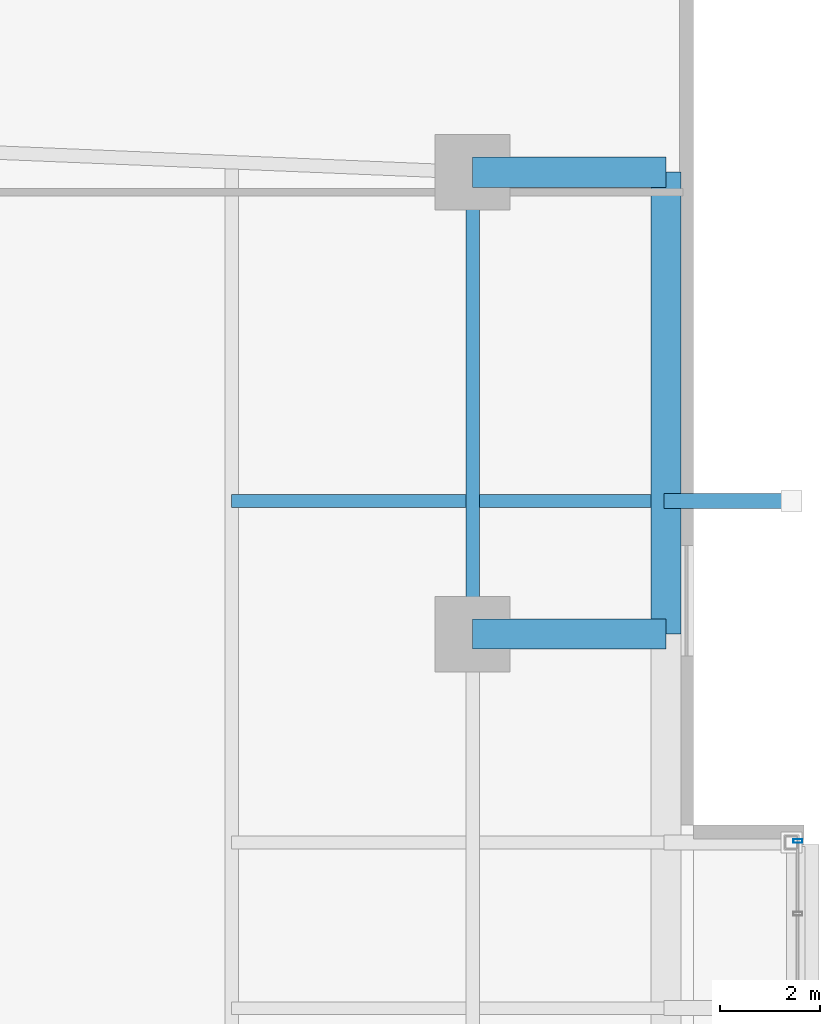
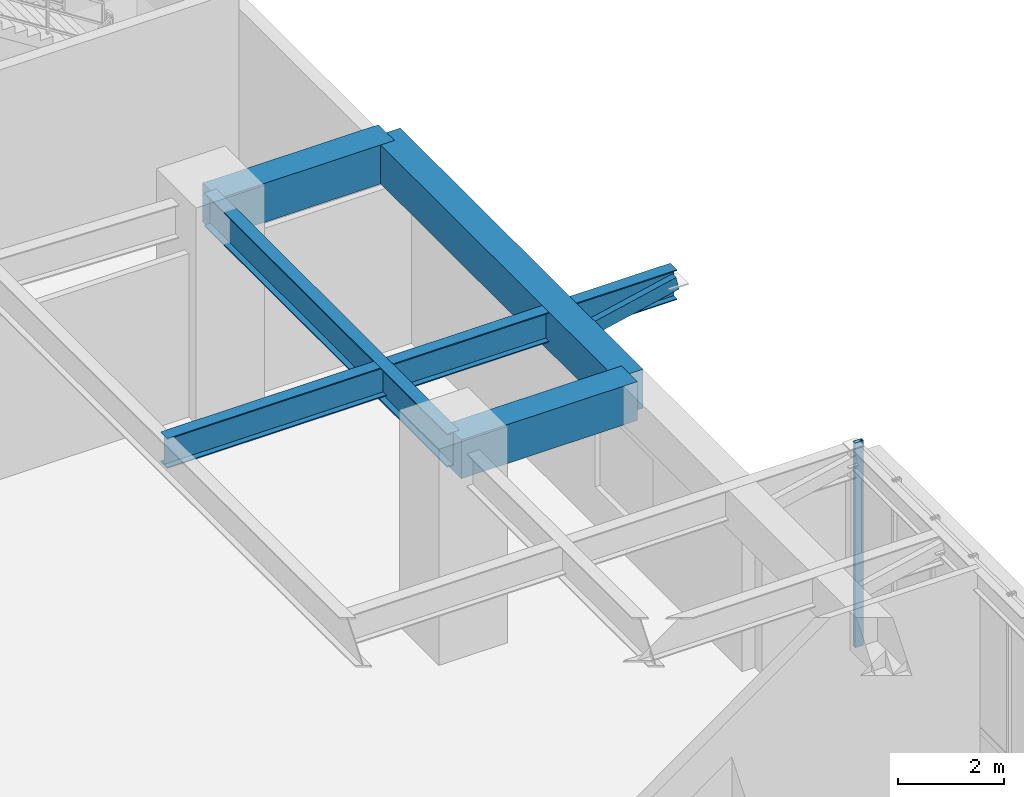
# One storey, part 12 of 23: 5 beams, 2 members, 1 element without a shape of its own.
"""IFC4 building model written with IfcOpenShell, lengths in metres."""

from ifc_helpers import new_model, si_unit, direction, frame, origin, origin_2d, place, context, subcontext, project, spatial, rectangle, hollow_rectangle, i_section, extrude, material, material_profile, profile_set, type_object, element, aggregate, save


model = new_model("IFC4")

# Units and contexts
model_context = context("Model", 3, precision=1e-05, world=origin(), true_north=direction((0.0, 1.0)))
body_context = subcontext(model_context, "Body", "Model", "MODEL_VIEW")
ifc_project = project(units=[si_unit("LENGTHUNIT", "METRE"), si_unit("AREAUNIT", "SQUARE_METRE"), si_unit("VOLUMEUNIT", "CUBIC_METRE"), si_unit("PLANEANGLEUNIT", "RADIAN"), si_unit("MASSUNIT", "GRAM", prefix="KILO")], contexts=[model_context])

# Site, building, storey
site_placement = place(None, origin())
site = spatial("IfcSite", under=ifc_project, at=site_placement, CompositionType="ELEMENT")
building_placement = place(site_placement, origin())
building = spatial("IfcBuilding", under=site, at=building_placement, Name="Zulverin Broadcast Headquarters", CompositionType="ELEMENT")
storey_placement = place(building_placement, frame((0.0, 0.0, 10.0)))
storey = spatial("IfcBuildingStorey", under=building, at=storey_placement, Name="L02", CompositionType="ELEMENT", Elevation=10.0)

# Beams
ifc_material_1 = material(Name="Concrete C40/50", Category="concrete")
ifc_material_profile_1 = material_profile(ifc_material_1, rectangle(XDim=0.60009765625, YDim=0.89990234375, at=origin_2d()), Name="Concrete C40/50", Category="concrete")
ifc_profile_set_1 = profile_set([ifc_material_profile_1], Name="Concrete C40/50")
beam_type_1 = type_object("IfcBeamType", Name="BM-RC-600x900", PredefinedType="BEAM", material=ifc_profile_set_1)
for number, where, z_axis, x_axis, name in (
    (1, (69.60009765625, 25.199951171875, 4.22998046875), (1.0, 0.0, 0.0), (0.0, 1.0, 0.0), "L02 East Perimeter Bracket Girder EBR-3"),
    (2, (69.60009765625, 34.39990234375, 4.22998046875), (1.0, 0.0, 0.0), (0.0, 1.0, 0.0), "L02 East Perimeter Bracket Girder EBR-4"),
):
    element("IfcBeam", number, at=place(storey_placement, frame(where, z_axis=z_axis, x_axis=x_axis)), inside=storey, type_object=beam_type_1, Name=name, PredefinedType="BEAM", context=body_context, shape_type="SweptSolid", body=[
        extrude(rectangle(XDim=0.60009765625, YDim=0.89990234375, at=origin_2d()), origin(), (0.0, 0.0, 1.0), 3.849853515625),
    ])
beam_1_placement = place(storey_placement, frame((73.449951171875, 25.199951171875, 4.22998046875), z_axis=(0.0, 1.0, 0.0), x_axis=(-1.0, 0.0, 0.0)))
element("IfcBeam", 3, at=beam_1_placement, inside=storey, type_object=beam_type_1, Name="L02 East Edge Spandrel Girder EEG-3", PredefinedType="BEAM", context=body_context, shape_type="SweptSolid", body=[
    extrude(rectangle(XDim=0.60009765625, YDim=0.89990234375, at=origin_2d()), origin(), (0.0, 0.0, 1.0), 9.199951171875),
])
ifc_material_2 = material(Name="Structural steel S355JR", Category="steel")
ifc_material_profile_2 = material_profile(ifc_material_2, i_section(OverallWidth=0.255859375, OverallDepth=0.69287109375, WebThickness=0.014404296875, FlangeThickness=0.023681640625, at=origin_2d()), Name="Structural steel S355JR", Category="steel")
ifc_profile_set_2 = profile_set([ifc_material_profile_2], Name="Structural steel S355JR")
beam_type_2 = type_object("IfcBeamType", Name="BM-UB-686", PredefinedType="BEAM", material=ifc_profile_set_2)
beam_2_placement = place(storey_placement, frame((64.800048828125, 27.85009765625, 4.33349609375), z_axis=(1.0, 0.0, 0.0), x_axis=(0.0, 1.0, 0.0)))
element("IfcBeam", 4, at=beam_2_placement, inside=storey, type_object=beam_type_2, Name="L03 Studio Box Base Cantilever Girder SBOX_POD_UPPER_E1-2", PredefinedType="BEAM", context=body_context, shape_type="SweptSolid", body=[
    extrude(i_section(OverallWidth=0.255859375, OverallDepth=0.69287109375, WebThickness=0.014404296875, FlangeThickness=0.023681640625, at=origin_2d()), origin(), (0.0, 0.0, 1.0), 11.14990234375),
])
ifc_material_profile_3 = material_profile(ifc_material_2, i_section(OverallWidth=0.26806640625, OverallDepth=0.769775390625, WebThickness=0.015625, FlangeThickness=0.025390625, at=origin_2d()), Name="Structural steel S355JR", Category="steel")
ifc_profile_set_3 = profile_set([ifc_material_profile_3], Name="Structural steel S355JR")
beam_type_3 = type_object("IfcBeamType", Name="BM-UB-762", PredefinedType="BEAM", material=ifc_profile_set_3)
beam_3_placement = place(storey_placement, frame((69.60009765625, 25.199951171875, 4.295166015625), z_axis=(0.0, 1.0, 0.0), x_axis=(-1.0, 0.0, 0.0)))
element("IfcBeam", 5, at=beam_3_placement, inside=storey, type_object=beam_type_3, Name="L02 Podium Primary Girder P15-P16", PredefinedType="BEAM", context=body_context, shape_type="SweptSolid", body=[
    extrude(i_section(OverallWidth=0.26806640625, OverallDepth=0.769775390625, WebThickness=0.015625, FlangeThickness=0.025390625, at=origin_2d()), origin(), (0.0, 0.0, 1.0), 9.199951171875),
])

# Curtain wall, member
ifc_material_3 = material(Name="Acoustic triple-glazed studio box curtain wall", Category="aluminium")
curtain_wall_type = type_object("IfcCurtainWallType", Name="CW-SBOX", PredefinedType="USERDEFINED", material=ifc_material_3)
curtain_wall_placement = place(storey_placement, origin())
curtain_wall = element("IfcCurtainWall", 6, at=curtain_wall_placement, inside=storey, type_object=curtain_wall_type, Name="L02 Unitised Curtain Wall CW-L02-SBOX_POD_LOWER_E1-F", ObjectType="UNITISED CURTAIN WALL", PredefinedType="USERDEFINED")
ifc_material_4 = material(Name="Anodized pale-metal aluminium alloy 6063-T6", Category="aluminium")
ifc_material_profile_4 = material_profile(ifc_material_4, hollow_rectangle(XDim=0.074951171875, YDim=0.179931640625, WallThickness=0.0048828125, at=origin_2d()), Name="Anodized pale-metal aluminium alloy 6063-T6", Category="aluminium")
ifc_profile_set_4 = profile_set([ifc_material_profile_4], Name="Anodized pale-metal aluminium alloy 6063-T6")
member_type_1 = type_object("IfcMemberType", Name="CW-MUL-180", PredefinedType="MULLION", material=ifc_profile_set_4)
member_1_placement = place(storey_placement, frame((76.080078125, 21.080078125, -0.030029296875), z_axis=(0.0, 0.0, 1.0), x_axis=(0.0, 1.0, 0.0)))
member_1 = element("IfcMember", 7, at=member_1_placement, type_object=member_type_1, Name="CW-L02-SBOX_POD_LOWER_E1-F Mullion 07", PredefinedType="MULLION", context=body_context, shape_type="SweptSolid", body=[
    extrude(hollow_rectangle(XDim=0.074951171875, YDim=0.179931640625, WallThickness=0.0048828125, at=origin_2d()), origin(), (0.0, 0.0, 1.0), 4.739990234375),
])
aggregate(curtain_wall, [member_1])

# Member
ifc_material_profile_5 = material_profile(ifc_material_2, hollow_rectangle(XDim=0.300048828125, YDim=0.300048828125, WallThickness=0.01611328125, at=origin_2d()), Name="Structural steel S355JR", Category="steel")
ifc_profile_set_5 = profile_set([ifc_material_profile_5], Name="Structural steel S355JR")
member_type_2 = type_object("IfcMemberType", Name="MBR-BLT-DIAG1", PredefinedType="BRACE", material=ifc_profile_set_5)
member_2_placement = place(storey_placement, frame((73.449951171875, 27.85009765625, 3.830078125), z_axis=(0.976660475394, 0.0, 0.214789002987), x_axis=(0.0, 1.0, 0.0)))
element("IfcMember", 8, at=member_2_placement, inside=storey, type_object=member_type_2, Name="L03 Studio Box Base Knee Brace SBOX_POD_UPPER_E1-2", PredefinedType="BRACE", context=body_context, shape_type="SweptSolid", body=[
    extrude(hollow_rectangle(XDim=0.300048828125, YDim=0.300048828125, WallThickness=0.01611328125, at=origin_2d()), origin(), (0.0, 0.0, 1.0), 2.559814453125),
])

save(model, "model.ifc")
